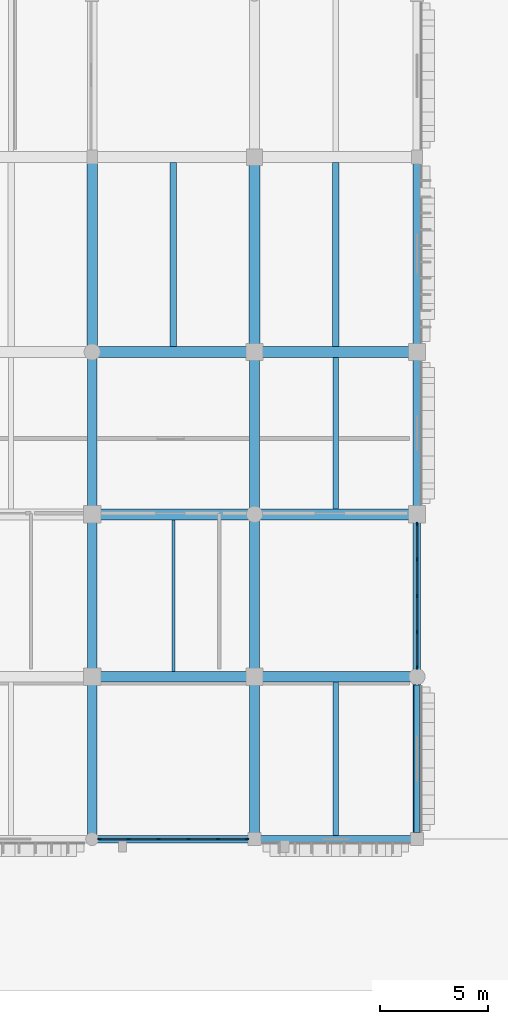
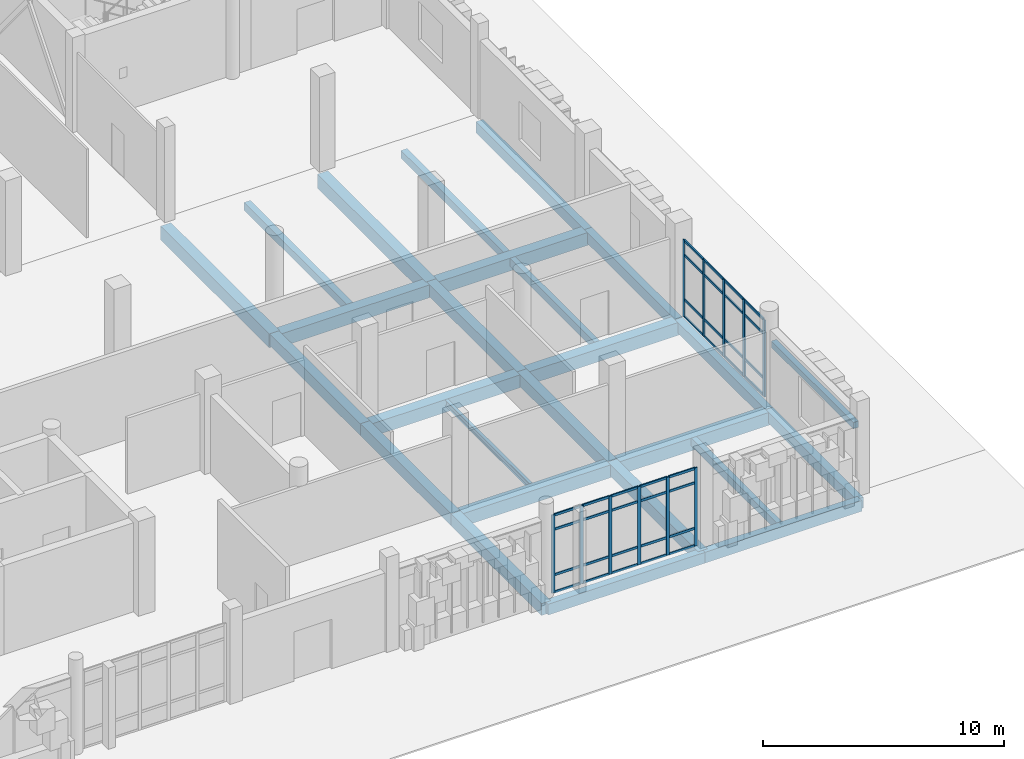
# One storey, part 56 of 125: 47 members, 26 beams, 2 elements without a shape of their own.
"""IFC4 building model written with IfcOpenShell, lengths in metres."""

from ifc_helpers import new_model, si_unit, direction, frame, origin, origin_2d, place, context, subcontext, project, spatial, rectangle, i_section, extrude, material, layer, layer_set, material_profile, profile_set, type_object, element, aggregate, save


model = new_model("IFC4")

# Units and contexts
model_context = context("Model", 3, precision=1e-05, world=origin(), true_north=direction((0.0, 1.0)))
body_context = subcontext(model_context, "Body", "Model", "MODEL_VIEW")
ifc_project = project(units=[si_unit("LENGTHUNIT", "METRE"), si_unit("AREAUNIT", "SQUARE_METRE"), si_unit("VOLUMEUNIT", "CUBIC_METRE"), si_unit("PLANEANGLEUNIT", "RADIAN"), si_unit("MASSUNIT", "GRAM", prefix="KILO")], contexts=[model_context])

# Site, building, storey
site_placement = place(None, origin())
site = spatial("IfcSite", under=ifc_project, at=site_placement, CompositionType="ELEMENT")
building_placement = place(site_placement, origin())
building = spatial("IfcBuilding", under=site, at=building_placement, Name="Dalvernix Boulevard General Hospital", CompositionType="ELEMENT")
storey_placement = place(building_placement, origin())
storey = spatial("IfcBuildingStorey", under=building, at=storey_placement, Name="L00", CompositionType="ELEMENT", Elevation=0.0)

# Beams
ifc_material_1 = material(Name="Concrete C35/45", Category="concrete")
ifc_material_profile_1 = material_profile(ifc_material_1, rectangle(XDim=0.5, YDim=0.699951171875, at=origin_2d()), Name="RCB 500x700")
ifc_profile_set_1 = profile_set([ifc_material_profile_1], Name="Concrete C35/45")
beam_type_1 = type_object("IfcBeamType", Name="BM-B-01-I", PredefinedType="BEAM", material=ifc_profile_set_1)
for number, where, z_axis, x_axis, name in (
    (1, (157.5, 22.5, -0.7099609375), (0.0, 1.0, 0.0), (-1.0, 0.0, 0.0), "L00 N-S girder 22:D-E"),
    (2, (165.0, 22.5, -0.7099609375), (0.0, 1.0, 0.0), (-1.0, 0.0, 0.0), "L00 N-S girder 23:D-E"),
):
    element("IfcBeam", number, at=place(storey_placement, frame(where, z_axis=z_axis, x_axis=x_axis)), inside=storey, type_object=beam_type_1, Name=name, PredefinedType="BEAM", context=body_context, shape_type="SweptSolid", body=[
        extrude(rectangle(XDim=0.5, YDim=0.699951171875, at=origin_2d()), origin(), (0.0, 0.0, 1.0), 9.0),
    ])
ifc_material_profile_2 = material_profile(ifc_material_1, rectangle(XDim=0.5, YDim=0.64990234375, at=origin_2d()), Name="RCB 500x650")
ifc_profile_set_2 = profile_set([ifc_material_profile_2], Name="Concrete C35/45")
beam_type_2 = type_object("IfcBeamType", Name="BM-B-02-I", PredefinedType="BEAM", material=ifc_profile_set_2)
for number, where, z_axis, x_axis, name in (
    (3, (157.5, 7.5, -0.68505859375), (1.0, 0.0, 0.0), (0.0, 1.0, 0.0), "L00 E-W girder B:22-23"),
    (4, (165.0, 7.5, -0.68505859375), (1.0, 0.0, 0.0), (0.0, 1.0, 0.0), "L00 E-W girder B:23-24"),
    (5, (157.5, 15.0, -0.68505859375), (1.0, 0.0, 0.0), (0.0, 1.0, 0.0), "L00 E-W girder C:22-23"),
    (6, (165.0, 15.0, -0.68505859375), (1.0, 0.0, 0.0), (0.0, 1.0, 0.0), "L00 E-W girder C:23-24"),
    (7, (157.5, 22.5, -0.68505859375), (1.0, 0.0, 0.0), (0.0, 1.0, 0.0), "L00 E-W girder D:22-23"),
    (8, (165.0, 22.5, -0.68505859375), (1.0, 0.0, 0.0), (0.0, 1.0, 0.0), "L00 E-W girder D:23-24"),
):
    element("IfcBeam", number, at=place(storey_placement, frame(where, z_axis=z_axis, x_axis=x_axis)), inside=storey, type_object=beam_type_2, Name=name, PredefinedType="BEAM", context=body_context, shape_type="SweptSolid", body=[
        extrude(rectangle(XDim=0.5, YDim=0.64990234375, at=origin_2d()), origin(), (0.0, 0.0, 1.0), 7.5),
    ])
ifc_material_profile_3 = material_profile(ifc_material_1, rectangle(XDim=0.449951171875, YDim=0.60009765625, at=origin_2d()), Name="RCB 450x600")
ifc_profile_set_3 = profile_set([ifc_material_profile_3], Name="Concrete C35/45")
beam_type_3 = type_object("IfcBeamType", Name="BM-B-04-I", PredefinedType="BEAM", material=ifc_profile_set_3)
for number, where, z_axis, x_axis, name in (
    (9, (157.5, 0.0, -0.659912109375), (0.0, 1.0, 0.0), (-1.0, 0.0, 0.0), "L00 N-S girder 22:A-B"),
    (10, (157.5, 7.5, -0.659912109375), (0.0, 1.0, 0.0), (-1.0, 0.0, 0.0), "L00 N-S girder 22:B-C"),
    (11, (157.5, 15.0, -0.659912109375), (0.0, 1.0, 0.0), (-1.0, 0.0, 0.0), "L00 N-S girder 22:C-D"),
    (12, (165.0, 0.0, -0.659912109375), (0.0, 1.0, 0.0), (-1.0, 0.0, 0.0), "L00 N-S girder 23:A-B"),
    (13, (165.0, 7.5, -0.659912109375), (0.0, 1.0, 0.0), (-1.0, 0.0, 0.0), "L00 N-S girder 23:B-C"),
    (14, (165.0, 15.0, -0.659912109375), (0.0, 1.0, 0.0), (-1.0, 0.0, 0.0), "L00 N-S girder 23:C-D"),
):
    element("IfcBeam", number, at=place(storey_placement, frame(where, z_axis=z_axis, x_axis=x_axis)), inside=storey, type_object=beam_type_3, Name=name, PredefinedType="BEAM", context=body_context, shape_type="SweptSolid", body=[
        extrude(rectangle(XDim=0.449951171875, YDim=0.60009765625, at=origin_2d()), origin(), (0.0, 0.0, 1.0), 7.5),
    ])
ifc_material_profile_4 = material_profile(ifc_material_1, rectangle(XDim=0.300048828125, YDim=0.39990234375, at=origin_2d()), Name="RCB 300x400")
ifc_profile_set_4 = profile_set([ifc_material_profile_4], Name="Concrete C35/45")
beam_type_4 = type_object("IfcBeamType", Name="BM-JB-01", PredefinedType="JOIST", material=ifc_profile_set_4)
for number, where, z_axis, x_axis, name in (
    (15, (161.25, 22.75, -0.56005859375), (0.0, 1.0, 0.0), (-1.0, 0.0, 0.0), "L00 secondary floor beam 22-D"),
    (16, (168.75, 22.75, -0.56005859375), (0.0, 1.0, 0.0), (-1.0, 0.0, 0.0), "L00 secondary floor beam 23-D"),
):
    element("IfcBeam", number, at=place(storey_placement, frame(where, z_axis=z_axis, x_axis=x_axis)), inside=storey, type_object=beam_type_4, Name=name, PredefinedType="JOIST", context=body_context, shape_type="SweptSolid", body=[
        extrude(rectangle(XDim=0.300048828125, YDim=0.39990234375, at=origin_2d()), origin(), (0.0, 0.0, 1.0), 8.5),
    ])
ifc_material_profile_5 = material_profile(ifc_material_1, rectangle(XDim=0.25, YDim=0.39990234375, at=origin_2d()), Name="RCB 250x400")
ifc_profile_set_5 = profile_set([ifc_material_profile_5], Name="Concrete C35/45")
beam_type_5 = type_object("IfcBeamType", Name="BM-JB-02", PredefinedType="JOIST", material=ifc_profile_set_5)
beam_1_placement = place(storey_placement, frame((168.75, 0.175048828125, -0.56005859375), z_axis=(0.0, 1.0, 0.0), x_axis=(-1.0, 0.0, 0.0)))
element("IfcBeam", 17, at=beam_1_placement, inside=storey, type_object=beam_type_5, Name="L00 secondary floor beam 23-A", PredefinedType="JOIST", context=body_context, shape_type="SweptSolid", body=[
    extrude(rectangle(XDim=0.25, YDim=0.39990234375, at=origin_2d()), origin(), (0.0, 0.0, 1.0), 7.074951171875),
])
beam_2_placement = place(storey_placement, frame((168.75, 15.25, -0.56005859375), z_axis=(0.0, 1.0, 0.0), x_axis=(-1.0, 0.0, 0.0)))
element("IfcBeam", 18, at=beam_2_placement, inside=storey, type_object=beam_type_5, Name="L00 secondary floor beam 23-C", PredefinedType="JOIST", context=body_context, shape_type="SweptSolid", body=[
    extrude(rectangle(XDim=0.25, YDim=0.39990234375, at=origin_2d()), origin(), (0.0, 0.0, 1.0), 7.0),
])
ifc_material_2 = material(Name="Steel S355", Category="steel")
ifc_material_profile_6 = material_profile(ifc_material_2, i_section(OverallWidth=0.14990234375, OverallDepth=0.300048828125, WebThickness=0.007080078125, FlangeThickness=0.0107421875, FilletRadius=0.014892578125, at=origin_2d()), Name="IPE 300")
ifc_profile_set_6 = profile_set([ifc_material_profile_6], Name="Steel S355")
beam_type_6 = type_object("IfcBeamType", Name="BM-JB-03", PredefinedType="JOIST", material=ifc_profile_set_6)
beam_3_placement = place(storey_placement, frame((161.25, 7.75, -0.510009765625), z_axis=(0.0, 1.0, 0.0), x_axis=(-1.0, 0.0, 0.0)))
element("IfcBeam", 19, at=beam_3_placement, inside=storey, type_object=beam_type_6, Name="L00 secondary floor beam 22-B", PredefinedType="JOIST", context=body_context, shape_type="SweptSolid", body=[
    extrude(i_section(OverallWidth=0.14990234375, OverallDepth=0.300048828125, WebThickness=0.007080078125, FlangeThickness=0.0107421875, FilletRadius=0.014892578125, at=origin_2d()), origin(), (0.0, 0.0, 1.0), 7.0),
])
ifc_material_3 = material(Name="Precast concrete C40/50", Category="concrete")
ifc_material_profile_7 = material_profile(ifc_material_3, rectangle(XDim=0.25, YDim=0.320068359375, at=origin_2d()), Name="RCL 250x320")
ifc_profile_set_7 = profile_set([ifc_material_profile_7], Name="Precast concrete C40/50")
beam_type_7 = type_object("IfcBeamType", Name="BM-LB-01", PredefinedType="LINTEL", material=ifc_profile_set_7)
beam_4_placement = place(storey_placement, frame((172.5, 7.114990234375, 3.159912109375), z_axis=(0.0, -1.0, 0.0), x_axis=(1.0, 0.0, 0.0)))
element("IfcBeam", 20, at=beam_4_placement, inside=storey, type_object=beam_type_7, Name="L00 precast window lintel E 23-0", PredefinedType="LINTEL", context=body_context, shape_type="SweptSolid", body=[
    extrude(rectangle(XDim=0.25, YDim=0.320068359375, at=origin_2d()), origin(), (0.0, 0.0, 1.0), 6.804931640625),
])
ifc_material_profile_8 = material_profile(ifc_material_1, rectangle(XDim=0.35009765625, YDim=0.550048828125, at=origin_2d()), Name="RCB 350x550")
ifc_profile_set_8 = profile_set([ifc_material_profile_8], Name="Concrete C35/45")
beam_type_8 = type_object("IfcBeamType", Name="BM-SB-01-E", PredefinedType="SPANDREL", material=ifc_profile_set_8)
for number, where, z_axis, x_axis, name in (
    (21, (157.5, 0.0, -0.635009765625), (1.0, 0.0, 0.0), (0.0, 1.0, 0.0), "L00 E-W girder A:22-23"),
    (22, (165.0, 0.0, -0.635009765625), (1.0, 0.0, 0.0), (0.0, 1.0, 0.0), "L00 E-W girder A:23-24"),
    (23, (172.5, 0.0, -0.635009765625), (0.0, 1.0, 0.0), (-1.0, 0.0, 0.0), "L00 N-S girder 24:A-B"),
    (24, (172.5, 7.5, -0.635009765625), (0.0, 1.0, 0.0), (-1.0, 0.0, 0.0), "L00 N-S girder 24:B-C"),
    (25, (172.5, 15.0, -0.635009765625), (0.0, 1.0, 0.0), (-1.0, 0.0, 0.0), "L00 N-S girder 24:C-D"),
):
    element("IfcBeam", number, at=place(storey_placement, frame(where, z_axis=z_axis, x_axis=x_axis)), inside=storey, type_object=beam_type_8, Name=name, PredefinedType="SPANDREL", context=body_context, shape_type="SweptSolid", body=[
        extrude(rectangle(XDim=0.35009765625, YDim=0.550048828125, at=origin_2d()), origin(), (0.0, 0.0, 1.0), 7.5),
    ])
beam_5_placement = place(storey_placement, frame((172.5, 22.5, -0.635009765625), z_axis=(0.0, 1.0, 0.0), x_axis=(-1.0, 0.0, 0.0)))
element("IfcBeam", 26, at=beam_5_placement, inside=storey, type_object=beam_type_8, Name="L00 N-S girder 24:D-E", PredefinedType="SPANDREL", context=body_context, shape_type="SweptSolid", body=[
    extrude(rectangle(XDim=0.35009765625, YDim=0.550048828125, at=origin_2d()), origin(), (0.0, 0.0, 1.0), 9.0),
])

# Curtain wall, members
ifc_material_4 = material(Name="Thermally broken aluminium and solar-control glass curtain wall", Category="aluminium")
ifc_layer_1 = layer(ifc_material_4, 0.159912109375)
ifc_layer_set_1 = layer_set([ifc_layer_1], Name="Thermally broken aluminium and solar-control glass curtain wall (CW-CW-A-69x40)")
curtain_wall_type_1 = type_object("IfcCurtainWallType", Name="CW-CW-A-69x40", PredefinedType="USERDEFINED", material=ifc_layer_set_1)
curtain_wall_1_placement = place(storey_placement, origin())
curtain_wall_1 = element("IfcCurtainWall", 27, at=curtain_wall_1_placement, inside=storey, type_object=curtain_wall_type_1, Name="L00 curtain wall CW-A-69x40 21-0", ObjectType="GLAZED FACADE", PredefinedType="USERDEFINED")
ifc_material_5 = material(Name="Aluminium EN AW-6060", Category="aluminium")
ifc_material_profile_9 = material_profile(ifc_material_5, rectangle(XDim=0.06005859375, YDim=0.159912109375, at=origin_2d()), Name="ALU MULL 60x160")
ifc_profile_set_9 = profile_set([ifc_material_profile_9], Name="Aluminium EN AW-6060")
member_type_1 = type_object("IfcMemberType", Name="MEM-CW-M1", PredefinedType="MULLION", material=ifc_profile_set_9)
member_1_placement = place(storey_placement, frame((164.659912109375, 0.0, 0.0), z_axis=(0.0, 0.0, 1.0), x_axis=(0.0, -1.0, 0.0)))
member_1 = element("IfcMember", 28, at=member_1_placement, type_object=member_type_1, Name="CW-A-69x40 mullion 1", PredefinedType="MULLION", context=body_context, shape_type="SweptSolid", body=[
    extrude(rectangle(XDim=0.06005859375, YDim=0.159912109375, at=origin_2d()), origin(), (0.0, 0.0, 1.0), 3.949951171875),
])
member_2_placement = place(storey_placement, frame((163.31396484375, 0.0, 0.0), z_axis=(0.0, 0.0, 1.0), x_axis=(0.0, -1.0, 0.0)))
member_2 = element("IfcMember", 29, at=member_2_placement, type_object=member_type_1, Name="CW-A-69x40 mullion 2", PredefinedType="MULLION", context=body_context, shape_type="SweptSolid", body=[
    extrude(rectangle(XDim=0.06005859375, YDim=0.159912109375, at=origin_2d()), origin(), (0.0, 0.0, 1.0), 3.949951171875),
])
member_3_placement = place(storey_placement, frame((161.93798828125, 0.0, 0.0), z_axis=(0.0, 0.0, 1.0), x_axis=(0.0, -1.0, 0.0)))
member_3 = element("IfcMember", 30, at=member_3_placement, type_object=member_type_1, Name="CW-A-69x40 mullion 3", PredefinedType="MULLION", context=body_context, shape_type="SweptSolid", body=[
    extrude(rectangle(XDim=0.06005859375, YDim=0.159912109375, at=origin_2d()), origin(), (0.0, 0.0, 1.0), 3.949951171875),
])
member_4_placement = place(storey_placement, frame((160.56201171875, 0.0, 0.0), z_axis=(0.0, 0.0, 1.0), x_axis=(0.0, -1.0, 0.0)))
member_4 = element("IfcMember", 31, at=member_4_placement, type_object=member_type_1, Name="CW-A-69x40 mullion 4", PredefinedType="MULLION", context=body_context, shape_type="SweptSolid", body=[
    extrude(rectangle(XDim=0.06005859375, YDim=0.159912109375, at=origin_2d()), origin(), (0.0, 0.0, 1.0), 3.949951171875),
])
member_5_placement = place(storey_placement, frame((159.18603515625, 0.0, 0.0), z_axis=(0.0, 0.0, 1.0), x_axis=(0.0, -1.0, 0.0)))
member_5 = element("IfcMember", 32, at=member_5_placement, type_object=member_type_1, Name="CW-A-69x40 mullion 5", PredefinedType="MULLION", context=body_context, shape_type="SweptSolid", body=[
    extrude(rectangle(XDim=0.06005859375, YDim=0.159912109375, at=origin_2d()), origin(), (0.0, 0.0, 1.0), 3.949951171875),
])
member_6_placement = place(storey_placement, frame((157.840087890625, 0.0, 0.0), z_axis=(0.0, 0.0, 1.0), x_axis=(0.0, -1.0, 0.0)))
member_6 = element("IfcMember", 33, at=member_6_placement, type_object=member_type_1, Name="CW-A-69x40 mullion 6", PredefinedType="MULLION", context=body_context, shape_type="SweptSolid", body=[
    extrude(rectangle(XDim=0.06005859375, YDim=0.159912109375, at=origin_2d()), origin(), (0.0, 0.0, 1.0), 3.949951171875),
])

ifc_layer_2 = layer(ifc_material_4, 0.159912109375)
ifc_layer_set_2 = layer_set([ifc_layer_2], Name="Thermally broken aluminium and solar-control glass curtain wall (CW-CW-A-67x39)")
curtain_wall_type_2 = type_object("IfcCurtainWallType", Name="CW-CW-A-67x39", PredefinedType="USERDEFINED", material=ifc_layer_set_2)
curtain_wall_2_placement = place(storey_placement, origin())
curtain_wall_2 = element("IfcCurtainWall", 34, at=curtain_wall_2_placement, inside=storey, type_object=curtain_wall_type_2, Name="L00 curtain wall CW-A-67x39 23-1", ObjectType="GLAZED FACADE", PredefinedType="USERDEFINED")
member_7_placement = place(storey_placement, frame((172.5, 14.56005859375, 0.0), z_axis=(0.0, 0.0, 1.0), x_axis=(1.0, 0.0, 0.0)))
member_7 = element("IfcMember", 35, at=member_7_placement, type_object=member_type_1, Name="CW-A-67x39 mullion 1", PredefinedType="MULLION", context=body_context, shape_type="SweptSolid", body=[
    extrude(rectangle(XDim=0.06005859375, YDim=0.159912109375, at=origin_2d()), origin(), (0.0, 0.0, 1.0), 3.89990234375),
])
member_8_placement = place(storey_placement, frame((172.5, 12.913818359375, 0.0), z_axis=(0.0, 0.0, 1.0), x_axis=(1.0, 0.0, 0.0)))
member_8 = element("IfcMember", 36, at=member_8_placement, type_object=member_type_1, Name="CW-A-67x39 mullion 2", PredefinedType="MULLION", context=body_context, shape_type="SweptSolid", body=[
    extrude(rectangle(XDim=0.06005859375, YDim=0.159912109375, at=origin_2d()), origin(), (0.0, 0.0, 1.0), 3.89990234375),
])
member_9_placement = place(storey_placement, frame((172.5, 11.237548828125, 0.0), z_axis=(0.0, 0.0, 1.0), x_axis=(1.0, 0.0, 0.0)))
member_9 = element("IfcMember", 37, at=member_9_placement, type_object=member_type_1, Name="CW-A-67x39 mullion 3", PredefinedType="MULLION", context=body_context, shape_type="SweptSolid", body=[
    extrude(rectangle(XDim=0.06005859375, YDim=0.159912109375, at=origin_2d()), origin(), (0.0, 0.0, 1.0), 3.89990234375),
])
member_10_placement = place(storey_placement, frame((172.5, 9.561279296875, 0.0), z_axis=(0.0, 0.0, 1.0), x_axis=(1.0, 0.0, 0.0)))
member_10 = element("IfcMember", 38, at=member_10_placement, type_object=member_type_1, Name="CW-A-67x39 mullion 4", PredefinedType="MULLION", context=body_context, shape_type="SweptSolid", body=[
    extrude(rectangle(XDim=0.06005859375, YDim=0.159912109375, at=origin_2d()), origin(), (0.0, 0.0, 1.0), 3.89990234375),
])
member_11_placement = place(storey_placement, frame((172.5, 7.9150390625, 0.0), z_axis=(0.0, 0.0, 1.0), x_axis=(1.0, 0.0, 0.0)))
member_11 = element("IfcMember", 39, at=member_11_placement, type_object=member_type_1, Name="CW-A-67x39 mullion 5", PredefinedType="MULLION", context=body_context, shape_type="SweptSolid", body=[
    extrude(rectangle(XDim=0.06005859375, YDim=0.159912109375, at=origin_2d()), origin(), (0.0, 0.0, 1.0), 3.89990234375),
])

# Member
ifc_material_profile_10 = material_profile(ifc_material_5, rectangle(XDim=0.06005859375, YDim=0.1201171875, at=origin_2d()), Name="ALU TRAN 60x120")
ifc_profile_set_10 = profile_set([ifc_material_profile_10], Name="Aluminium EN AW-6060")
member_type_2 = type_object("IfcMemberType", Name="MEM-CW-T1", PredefinedType="USERDEFINED", material=ifc_profile_set_10)
member_12_placement = place(storey_placement, frame((164.6298828125, 0.0, 0.030029296875), z_axis=(-1.0, 0.0, 0.0), x_axis=(0.0, -1.0, 0.0)))
member_12 = element("IfcMember", 40, at=member_12_placement, type_object=member_type_2, Name="CW-A-69x40 transom 1.1", ObjectType="TRANSOM", PredefinedType="USERDEFINED", context=body_context, shape_type="SweptSolid", body=[
    extrude(rectangle(XDim=0.06005859375, YDim=0.1201171875, at=origin_2d()), origin(), (0.0, 0.0, 1.0), 1.285888671875),
])

member_13_placement = place(storey_placement, frame((164.6298828125, 0.0, 0.89990234375), z_axis=(-1.0, 0.0, 0.0), x_axis=(0.0, -1.0, 0.0)))
member_13 = element("IfcMember", 41, at=member_13_placement, type_object=member_type_2, Name="CW-A-69x40 transom 1.2", ObjectType="TRANSOM", PredefinedType="USERDEFINED", context=body_context, shape_type="SweptSolid", body=[
    extrude(rectangle(XDim=0.06005859375, YDim=0.1201171875, at=origin_2d()), origin(), (0.0, 0.0, 1.0), 1.285888671875),
])

member_14_placement = place(storey_placement, frame((164.6298828125, 0.0, 3.199951171875), z_axis=(-1.0, 0.0, 0.0), x_axis=(0.0, -1.0, 0.0)))
member_14 = element("IfcMember", 42, at=member_14_placement, type_object=member_type_2, Name="CW-A-69x40 transom 1.3", ObjectType="TRANSOM", PredefinedType="USERDEFINED", context=body_context, shape_type="SweptSolid", body=[
    extrude(rectangle(XDim=0.06005859375, YDim=0.1201171875, at=origin_2d()), origin(), (0.0, 0.0, 1.0), 1.285888671875),
])

member_15_placement = place(storey_placement, frame((164.6298828125, 0.0, 3.919921875), z_axis=(-1.0, 0.0, 0.0), x_axis=(0.0, -1.0, 0.0)))
member_15 = element("IfcMember", 43, at=member_15_placement, type_object=member_type_2, Name="CW-A-69x40 transom 1.4", ObjectType="TRANSOM", PredefinedType="USERDEFINED", context=body_context, shape_type="SweptSolid", body=[
    extrude(rectangle(XDim=0.06005859375, YDim=0.1201171875, at=origin_2d()), origin(), (0.0, 0.0, 1.0), 1.285888671875),
])

member_16_placement = place(storey_placement, frame((163.283935546875, 0.0, 0.030029296875), z_axis=(-1.0, 0.0, 0.0), x_axis=(0.0, -1.0, 0.0)))
member_16 = element("IfcMember", 44, at=member_16_placement, type_object=member_type_2, Name="CW-A-69x40 transom 2.1", ObjectType="TRANSOM", PredefinedType="USERDEFINED", context=body_context, shape_type="SweptSolid", body=[
    extrude(rectangle(XDim=0.06005859375, YDim=0.1201171875, at=origin_2d()), origin(), (0.0, 0.0, 1.0), 1.31591796875),
])

member_17_placement = place(storey_placement, frame((163.283935546875, 0.0, 0.89990234375), z_axis=(-1.0, 0.0, 0.0), x_axis=(0.0, -1.0, 0.0)))
member_17 = element("IfcMember", 45, at=member_17_placement, type_object=member_type_2, Name="CW-A-69x40 transom 2.2", ObjectType="TRANSOM", PredefinedType="USERDEFINED", context=body_context, shape_type="SweptSolid", body=[
    extrude(rectangle(XDim=0.06005859375, YDim=0.1201171875, at=origin_2d()), origin(), (0.0, 0.0, 1.0), 1.31591796875),
])

member_18_placement = place(storey_placement, frame((163.283935546875, 0.0, 3.199951171875), z_axis=(-1.0, 0.0, 0.0), x_axis=(0.0, -1.0, 0.0)))
member_18 = element("IfcMember", 46, at=member_18_placement, type_object=member_type_2, Name="CW-A-69x40 transom 2.3", ObjectType="TRANSOM", PredefinedType="USERDEFINED", context=body_context, shape_type="SweptSolid", body=[
    extrude(rectangle(XDim=0.06005859375, YDim=0.1201171875, at=origin_2d()), origin(), (0.0, 0.0, 1.0), 1.31591796875),
])

member_19_placement = place(storey_placement, frame((163.283935546875, 0.0, 3.919921875), z_axis=(-1.0, 0.0, 0.0), x_axis=(0.0, -1.0, 0.0)))
member_19 = element("IfcMember", 47, at=member_19_placement, type_object=member_type_2, Name="CW-A-69x40 transom 2.4", ObjectType="TRANSOM", PredefinedType="USERDEFINED", context=body_context, shape_type="SweptSolid", body=[
    extrude(rectangle(XDim=0.06005859375, YDim=0.1201171875, at=origin_2d()), origin(), (0.0, 0.0, 1.0), 1.31591796875),
])

member_20_placement = place(storey_placement, frame((161.907958984375, 0.0, 0.030029296875), z_axis=(-1.0, 0.0, 0.0), x_axis=(0.0, -1.0, 0.0)))
member_20 = element("IfcMember", 48, at=member_20_placement, type_object=member_type_2, Name="CW-A-69x40 transom 3.1", ObjectType="TRANSOM", PredefinedType="USERDEFINED", context=body_context, shape_type="SweptSolid", body=[
    extrude(rectangle(XDim=0.06005859375, YDim=0.1201171875, at=origin_2d()), origin(), (0.0, 0.0, 1.0), 1.31591796875),
])

member_21_placement = place(storey_placement, frame((161.907958984375, 0.0, 0.89990234375), z_axis=(-1.0, 0.0, 0.0), x_axis=(0.0, -1.0, 0.0)))
member_21 = element("IfcMember", 49, at=member_21_placement, type_object=member_type_2, Name="CW-A-69x40 transom 3.2", ObjectType="TRANSOM", PredefinedType="USERDEFINED", context=body_context, shape_type="SweptSolid", body=[
    extrude(rectangle(XDim=0.06005859375, YDim=0.1201171875, at=origin_2d()), origin(), (0.0, 0.0, 1.0), 1.31591796875),
])

member_22_placement = place(storey_placement, frame((161.907958984375, 0.0, 3.199951171875), z_axis=(-1.0, 0.0, 0.0), x_axis=(0.0, -1.0, 0.0)))
member_22 = element("IfcMember", 50, at=member_22_placement, type_object=member_type_2, Name="CW-A-69x40 transom 3.3", ObjectType="TRANSOM", PredefinedType="USERDEFINED", context=body_context, shape_type="SweptSolid", body=[
    extrude(rectangle(XDim=0.06005859375, YDim=0.1201171875, at=origin_2d()), origin(), (0.0, 0.0, 1.0), 1.31591796875),
])

member_23_placement = place(storey_placement, frame((161.907958984375, 0.0, 3.919921875), z_axis=(-1.0, 0.0, 0.0), x_axis=(0.0, -1.0, 0.0)))
member_23 = element("IfcMember", 51, at=member_23_placement, type_object=member_type_2, Name="CW-A-69x40 transom 3.4", ObjectType="TRANSOM", PredefinedType="USERDEFINED", context=body_context, shape_type="SweptSolid", body=[
    extrude(rectangle(XDim=0.06005859375, YDim=0.1201171875, at=origin_2d()), origin(), (0.0, 0.0, 1.0), 1.31591796875),
])

member_24_placement = place(storey_placement, frame((160.531982421875, 0.0, 0.030029296875), z_axis=(-1.0, 0.0, 0.0), x_axis=(0.0, -1.0, 0.0)))
member_24 = element("IfcMember", 52, at=member_24_placement, type_object=member_type_2, Name="CW-A-69x40 transom 4.1", ObjectType="TRANSOM", PredefinedType="USERDEFINED", context=body_context, shape_type="SweptSolid", body=[
    extrude(rectangle(XDim=0.06005859375, YDim=0.1201171875, at=origin_2d()), origin(), (0.0, 0.0, 1.0), 1.31591796875),
])

member_25_placement = place(storey_placement, frame((160.531982421875, 0.0, 0.89990234375), z_axis=(-1.0, 0.0, 0.0), x_axis=(0.0, -1.0, 0.0)))
member_25 = element("IfcMember", 53, at=member_25_placement, type_object=member_type_2, Name="CW-A-69x40 transom 4.2", ObjectType="TRANSOM", PredefinedType="USERDEFINED", context=body_context, shape_type="SweptSolid", body=[
    extrude(rectangle(XDim=0.06005859375, YDim=0.1201171875, at=origin_2d()), origin(), (0.0, 0.0, 1.0), 1.31591796875),
])

member_26_placement = place(storey_placement, frame((160.531982421875, 0.0, 3.199951171875), z_axis=(-1.0, 0.0, 0.0), x_axis=(0.0, -1.0, 0.0)))
member_26 = element("IfcMember", 54, at=member_26_placement, type_object=member_type_2, Name="CW-A-69x40 transom 4.3", ObjectType="TRANSOM", PredefinedType="USERDEFINED", context=body_context, shape_type="SweptSolid", body=[
    extrude(rectangle(XDim=0.06005859375, YDim=0.1201171875, at=origin_2d()), origin(), (0.0, 0.0, 1.0), 1.31591796875),
])

member_27_placement = place(storey_placement, frame((160.531982421875, 0.0, 3.919921875), z_axis=(-1.0, 0.0, 0.0), x_axis=(0.0, -1.0, 0.0)))
member_27 = element("IfcMember", 55, at=member_27_placement, type_object=member_type_2, Name="CW-A-69x40 transom 4.4", ObjectType="TRANSOM", PredefinedType="USERDEFINED", context=body_context, shape_type="SweptSolid", body=[
    extrude(rectangle(XDim=0.06005859375, YDim=0.1201171875, at=origin_2d()), origin(), (0.0, 0.0, 1.0), 1.31591796875),
])

member_28_placement = place(storey_placement, frame((159.156005859375, 0.0, 0.030029296875), z_axis=(-1.0, 0.0, 0.0), x_axis=(0.0, -1.0, 0.0)))
member_28 = element("IfcMember", 56, at=member_28_placement, type_object=member_type_2, Name="CW-A-69x40 transom 5.1", ObjectType="TRANSOM", PredefinedType="USERDEFINED", context=body_context, shape_type="SweptSolid", body=[
    extrude(rectangle(XDim=0.06005859375, YDim=0.1201171875, at=origin_2d()), origin(), (0.0, 0.0, 1.0), 1.285888671875),
])

member_29_placement = place(storey_placement, frame((159.156005859375, 0.0, 0.89990234375), z_axis=(-1.0, 0.0, 0.0), x_axis=(0.0, -1.0, 0.0)))
member_29 = element("IfcMember", 57, at=member_29_placement, type_object=member_type_2, Name="CW-A-69x40 transom 5.2", ObjectType="TRANSOM", PredefinedType="USERDEFINED", context=body_context, shape_type="SweptSolid", body=[
    extrude(rectangle(XDim=0.06005859375, YDim=0.1201171875, at=origin_2d()), origin(), (0.0, 0.0, 1.0), 1.285888671875),
])

member_30_placement = place(storey_placement, frame((159.156005859375, 0.0, 3.199951171875), z_axis=(-1.0, 0.0, 0.0), x_axis=(0.0, -1.0, 0.0)))
member_30 = element("IfcMember", 58, at=member_30_placement, type_object=member_type_2, Name="CW-A-69x40 transom 5.3", ObjectType="TRANSOM", PredefinedType="USERDEFINED", context=body_context, shape_type="SweptSolid", body=[
    extrude(rectangle(XDim=0.06005859375, YDim=0.1201171875, at=origin_2d()), origin(), (0.0, 0.0, 1.0), 1.285888671875),
])

member_31_placement = place(storey_placement, frame((159.156005859375, 0.0, 3.919921875), z_axis=(-1.0, 0.0, 0.0), x_axis=(0.0, -1.0, 0.0)))
member_31 = element("IfcMember", 59, at=member_31_placement, type_object=member_type_2, Name="CW-A-69x40 transom 5.4", ObjectType="TRANSOM", PredefinedType="USERDEFINED", context=body_context, shape_type="SweptSolid", body=[
    extrude(rectangle(XDim=0.06005859375, YDim=0.1201171875, at=origin_2d()), origin(), (0.0, 0.0, 1.0), 1.285888671875),
])

aggregate(curtain_wall_1, [member_1, member_2, member_3, member_4, member_5, member_6, member_12, member_13, member_14, member_15, member_16, member_17, member_18, member_19, member_20, member_21, member_22, member_23, member_24, member_25, member_26, member_27, member_28, member_29, member_30, member_31])

member_32_placement = place(storey_placement, frame((172.5, 14.530029296875, 0.030029296875), z_axis=(0.0, -1.0, 0.0), x_axis=(1.0, 0.0, 0.0)))
member_32 = element("IfcMember", 60, at=member_32_placement, type_object=member_type_2, Name="CW-A-67x39 transom 1.1", ObjectType="TRANSOM", PredefinedType="USERDEFINED", context=body_context, shape_type="SweptSolid", body=[
    extrude(rectangle(XDim=0.06005859375, YDim=0.1201171875, at=origin_2d()), origin(), (0.0, 0.0, 1.0), 1.586181640625),
])

member_33_placement = place(storey_placement, frame((172.5, 14.530029296875, 0.89990234375), z_axis=(0.0, -1.0, 0.0), x_axis=(1.0, 0.0, 0.0)))
member_33 = element("IfcMember", 61, at=member_33_placement, type_object=member_type_2, Name="CW-A-67x39 transom 1.2", ObjectType="TRANSOM", PredefinedType="USERDEFINED", context=body_context, shape_type="SweptSolid", body=[
    extrude(rectangle(XDim=0.06005859375, YDim=0.1201171875, at=origin_2d()), origin(), (0.0, 0.0, 1.0), 1.586181640625),
])

member_34_placement = place(storey_placement, frame((172.5, 14.530029296875, 3.14990234375), z_axis=(0.0, -1.0, 0.0), x_axis=(1.0, 0.0, 0.0)))
member_34 = element("IfcMember", 62, at=member_34_placement, type_object=member_type_2, Name="CW-A-67x39 transom 1.3", ObjectType="TRANSOM", PredefinedType="USERDEFINED", context=body_context, shape_type="SweptSolid", body=[
    extrude(rectangle(XDim=0.06005859375, YDim=0.1201171875, at=origin_2d()), origin(), (0.0, 0.0, 1.0), 1.586181640625),
])

member_35_placement = place(storey_placement, frame((172.5, 14.530029296875, 3.8701171875), z_axis=(0.0, -1.0, 0.0), x_axis=(1.0, 0.0, 0.0)))
member_35 = element("IfcMember", 63, at=member_35_placement, type_object=member_type_2, Name="CW-A-67x39 transom 1.4", ObjectType="TRANSOM", PredefinedType="USERDEFINED", context=body_context, shape_type="SweptSolid", body=[
    extrude(rectangle(XDim=0.06005859375, YDim=0.1201171875, at=origin_2d()), origin(), (0.0, 0.0, 1.0), 1.586181640625),
])

member_36_placement = place(storey_placement, frame((172.5, 12.8837890625, 0.030029296875), z_axis=(0.0, -1.0, 0.0), x_axis=(1.0, 0.0, 0.0)))
member_36 = element("IfcMember", 64, at=member_36_placement, type_object=member_type_2, Name="CW-A-67x39 transom 2.1", ObjectType="TRANSOM", PredefinedType="USERDEFINED", context=body_context, shape_type="SweptSolid", body=[
    extrude(rectangle(XDim=0.06005859375, YDim=0.1201171875, at=origin_2d()), origin(), (0.0, 0.0, 1.0), 1.6162109375),
])

member_37_placement = place(storey_placement, frame((172.5, 12.8837890625, 0.89990234375), z_axis=(0.0, -1.0, 0.0), x_axis=(1.0, 0.0, 0.0)))
member_37 = element("IfcMember", 65, at=member_37_placement, type_object=member_type_2, Name="CW-A-67x39 transom 2.2", ObjectType="TRANSOM", PredefinedType="USERDEFINED", context=body_context, shape_type="SweptSolid", body=[
    extrude(rectangle(XDim=0.06005859375, YDim=0.1201171875, at=origin_2d()), origin(), (0.0, 0.0, 1.0), 1.6162109375),
])

member_38_placement = place(storey_placement, frame((172.5, 12.8837890625, 3.14990234375), z_axis=(0.0, -1.0, 0.0), x_axis=(1.0, 0.0, 0.0)))
member_38 = element("IfcMember", 66, at=member_38_placement, type_object=member_type_2, Name="CW-A-67x39 transom 2.3", ObjectType="TRANSOM", PredefinedType="USERDEFINED", context=body_context, shape_type="SweptSolid", body=[
    extrude(rectangle(XDim=0.06005859375, YDim=0.1201171875, at=origin_2d()), origin(), (0.0, 0.0, 1.0), 1.6162109375),
])

member_39_placement = place(storey_placement, frame((172.5, 12.8837890625, 3.8701171875), z_axis=(0.0, -1.0, 0.0), x_axis=(1.0, 0.0, 0.0)))
member_39 = element("IfcMember", 67, at=member_39_placement, type_object=member_type_2, Name="CW-A-67x39 transom 2.4", ObjectType="TRANSOM", PredefinedType="USERDEFINED", context=body_context, shape_type="SweptSolid", body=[
    extrude(rectangle(XDim=0.06005859375, YDim=0.1201171875, at=origin_2d()), origin(), (0.0, 0.0, 1.0), 1.6162109375),
])

member_40_placement = place(storey_placement, frame((172.5, 11.20751953125, 0.030029296875), z_axis=(0.0, -1.0, 0.0), x_axis=(1.0, 0.0, 0.0)))
member_40 = element("IfcMember", 68, at=member_40_placement, type_object=member_type_2, Name="CW-A-67x39 transom 3.1", ObjectType="TRANSOM", PredefinedType="USERDEFINED", context=body_context, shape_type="SweptSolid", body=[
    extrude(rectangle(XDim=0.06005859375, YDim=0.1201171875, at=origin_2d()), origin(), (0.0, 0.0, 1.0), 1.6162109375),
])

member_41_placement = place(storey_placement, frame((172.5, 11.20751953125, 0.89990234375), z_axis=(0.0, -1.0, 0.0), x_axis=(1.0, 0.0, 0.0)))
member_41 = element("IfcMember", 69, at=member_41_placement, type_object=member_type_2, Name="CW-A-67x39 transom 3.2", ObjectType="TRANSOM", PredefinedType="USERDEFINED", context=body_context, shape_type="SweptSolid", body=[
    extrude(rectangle(XDim=0.06005859375, YDim=0.1201171875, at=origin_2d()), origin(), (0.0, 0.0, 1.0), 1.6162109375),
])

member_42_placement = place(storey_placement, frame((172.5, 11.20751953125, 3.14990234375), z_axis=(0.0, -1.0, 0.0), x_axis=(1.0, 0.0, 0.0)))
member_42 = element("IfcMember", 70, at=member_42_placement, type_object=member_type_2, Name="CW-A-67x39 transom 3.3", ObjectType="TRANSOM", PredefinedType="USERDEFINED", context=body_context, shape_type="SweptSolid", body=[
    extrude(rectangle(XDim=0.06005859375, YDim=0.1201171875, at=origin_2d()), origin(), (0.0, 0.0, 1.0), 1.6162109375),
])

member_43_placement = place(storey_placement, frame((172.5, 11.20751953125, 3.8701171875), z_axis=(0.0, -1.0, 0.0), x_axis=(1.0, 0.0, 0.0)))
member_43 = element("IfcMember", 71, at=member_43_placement, type_object=member_type_2, Name="CW-A-67x39 transom 3.4", ObjectType="TRANSOM", PredefinedType="USERDEFINED", context=body_context, shape_type="SweptSolid", body=[
    extrude(rectangle(XDim=0.06005859375, YDim=0.1201171875, at=origin_2d()), origin(), (0.0, 0.0, 1.0), 1.6162109375),
])

member_44_placement = place(storey_placement, frame((172.5, 9.53125, 0.030029296875), z_axis=(0.0, -1.0, 0.0), x_axis=(1.0, 0.0, 0.0)))
member_44 = element("IfcMember", 72, at=member_44_placement, type_object=member_type_2, Name="CW-A-67x39 transom 4.1", ObjectType="TRANSOM", PredefinedType="USERDEFINED", context=body_context, shape_type="SweptSolid", body=[
    extrude(rectangle(XDim=0.06005859375, YDim=0.1201171875, at=origin_2d()), origin(), (0.0, 0.0, 1.0), 1.586181640625),
])

member_45_placement = place(storey_placement, frame((172.5, 9.53125, 0.89990234375), z_axis=(0.0, -1.0, 0.0), x_axis=(1.0, 0.0, 0.0)))
member_45 = element("IfcMember", 73, at=member_45_placement, type_object=member_type_2, Name="CW-A-67x39 transom 4.2", ObjectType="TRANSOM", PredefinedType="USERDEFINED", context=body_context, shape_type="SweptSolid", body=[
    extrude(rectangle(XDim=0.06005859375, YDim=0.1201171875, at=origin_2d()), origin(), (0.0, 0.0, 1.0), 1.586181640625),
])

member_46_placement = place(storey_placement, frame((172.5, 9.53125, 3.14990234375), z_axis=(0.0, -1.0, 0.0), x_axis=(1.0, 0.0, 0.0)))
member_46 = element("IfcMember", 74, at=member_46_placement, type_object=member_type_2, Name="CW-A-67x39 transom 4.3", ObjectType="TRANSOM", PredefinedType="USERDEFINED", context=body_context, shape_type="SweptSolid", body=[
    extrude(rectangle(XDim=0.06005859375, YDim=0.1201171875, at=origin_2d()), origin(), (0.0, 0.0, 1.0), 1.586181640625),
])

member_47_placement = place(storey_placement, frame((172.5, 9.53125, 3.8701171875), z_axis=(0.0, -1.0, 0.0), x_axis=(1.0, 0.0, 0.0)))
member_47 = element("IfcMember", 75, at=member_47_placement, type_object=member_type_2, Name="CW-A-67x39 transom 4.4", ObjectType="TRANSOM", PredefinedType="USERDEFINED", context=body_context, shape_type="SweptSolid", body=[
    extrude(rectangle(XDim=0.06005859375, YDim=0.1201171875, at=origin_2d()), origin(), (0.0, 0.0, 1.0), 1.586181640625),
])

aggregate(curtain_wall_2, [member_7, member_8, member_9, member_10, member_11, member_32, member_33, member_34, member_35, member_36, member_37, member_38, member_39, member_40, member_41, member_42, member_43, member_44, member_45, member_46, member_47])

save(model, "model.ifc")
